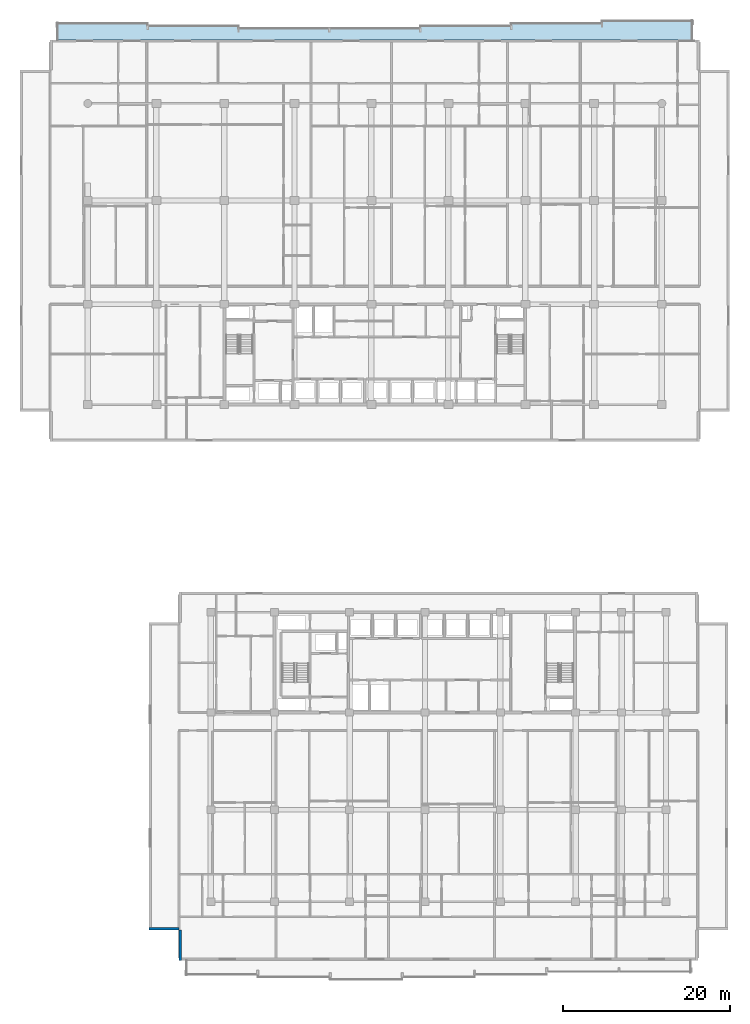
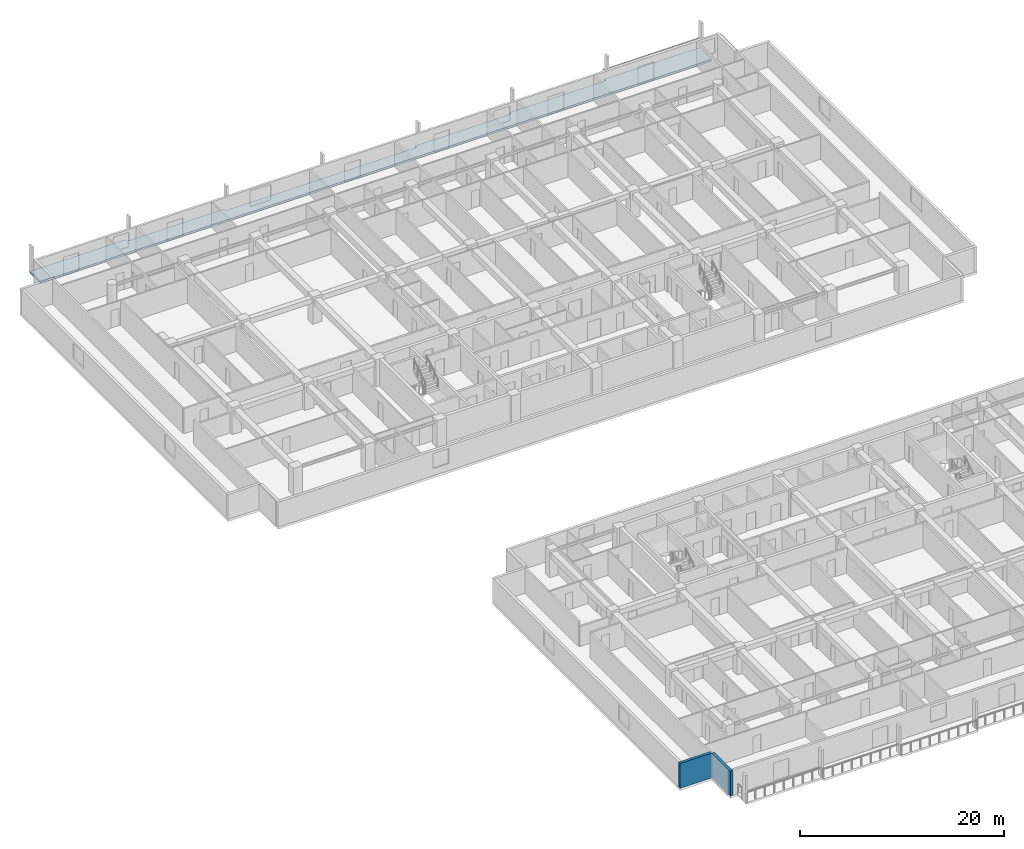
# One storey, part 3 of 24: 2 walls, 1 slab.
"""IFC4 building model written with IfcOpenShell, lengths in metres."""

from ifc_helpers import new_model, si_unit, direction, frame, frame_2d, origin, place, context, subcontext, project, spatial, polyline, rectangle, outline, extrude, material, layer, layer_set, type_object, element, save


model = new_model("IFC4")

# Units and contexts
model_context = context("Model", 3, precision=1e-05, world=origin(), true_north=direction((0.0, 1.0)))
body_context = subcontext(model_context, "Body", "Model", "MODEL_VIEW")
ifc_project = project(units=[si_unit("LENGTHUNIT", "METRE"), si_unit("AREAUNIT", "SQUARE_METRE"), si_unit("VOLUMEUNIT", "CUBIC_METRE"), si_unit("PLANEANGLEUNIT", "RADIAN"), si_unit("MASSUNIT", "GRAM", prefix="KILO")], contexts=[model_context])

# Site, building, storey
site_placement = place(None, origin())
site = spatial("IfcSite", under=ifc_project, at=site_placement, CompositionType="ELEMENT")
building_placement = place(site_placement, origin())
building = spatial("IfcBuilding", under=site, at=building_placement, Name="Korimba Cascade Residences", CompositionType="ELEMENT")
storey_placement = place(building_placement, frame((0.0, 0.0, 63.0)))
storey = spatial("IfcBuildingStorey", under=building, at=storey_placement, Name="L17", CompositionType="ELEMENT", Elevation=63.0)

# Slab
ifc_material = material(Name="Precast concrete C40/50", Category="concrete")
ifc_layer_1 = layer(ifc_material, 0.239990234375)
ifc_layer_set_1 = layer_set([ifc_layer_1], Name="Precast concrete C40/50")
slab_type = type_object("IfcSlabType", Name="SLB-LOG-240", PredefinedType="FLOOR", material=ifc_layer_set_1)
slab_placement = place(storey_placement, frame((0.0, 0.0, -0.239990234375)))
element("IfcSlab", 1, at=slab_placement, inside=storey, type_object=slab_type, Name="L17 Tower 1 North Loggia Slab", PredefinedType="FLOOR", context=body_context, shape_type="SweptSolid", body=[
    extrude(outline(polyline([(56.10009765625, 98.800048828125), (132.10009765625, 98.800048828125), (132.10009765625, 101.14990234375), (121.242919921875, 101.14990234375), (121.242919921875, 100.85009765625), (110.3857421875, 100.85009765625), (110.3857421875, 100.550048828125), (99.528564453125, 100.550048828125), (99.528564453125, 100.25), (77.814208984375, 100.25), (77.814208984375, 100.550048828125), (66.95703125, 100.550048828125), (66.95703125, 100.85009765625), (56.10009765625, 100.85009765625), (56.10009765625, 98.800048828125)])), origin(), (0.0, 0.0, 1.0), 0.239990234375),
])

# Walls
ifc_layer_2 = layer(ifc_material, 0.300048828125)
ifc_layer_set_2 = layer_set([ifc_layer_2], Name="Precast concrete C40/50")
wall_type = type_object("IfcWallType", Name="EW-STONE-300", PredefinedType="STANDARD", material=ifc_layer_set_2)
for number, where, z_axis, x_axis, name in (
    (2, (67.10009765625, -7.449951171875, 0.0), (0.0, 0.0, 1.0), (1.0, 0.0, 0.0), "L17 T2 Perimeter Stone Wall E10"),
    (3, (70.85009765625, -7.60009765625, 0.0), (0.0, 0.0, 1.0), (0.0, -1.0, 0.0), "L17 T2 Perimeter Stone Wall E11"),
):
    element("IfcWall", number, at=place(storey_placement, frame(where, z_axis=z_axis, x_axis=x_axis)), inside=storey, type_object=wall_type, Name=name, PredefinedType="STANDARD", context=body_context, shape_type="SweptSolid", body=[
        extrude(rectangle(XDim=3.599853515625, YDim=0.300048828125, at=frame_2d((1.7998046875, 0.0))), origin(), (0.0, 0.0, 1.0), 2.969970703125),
    ])

save(model, "model.ifc")
